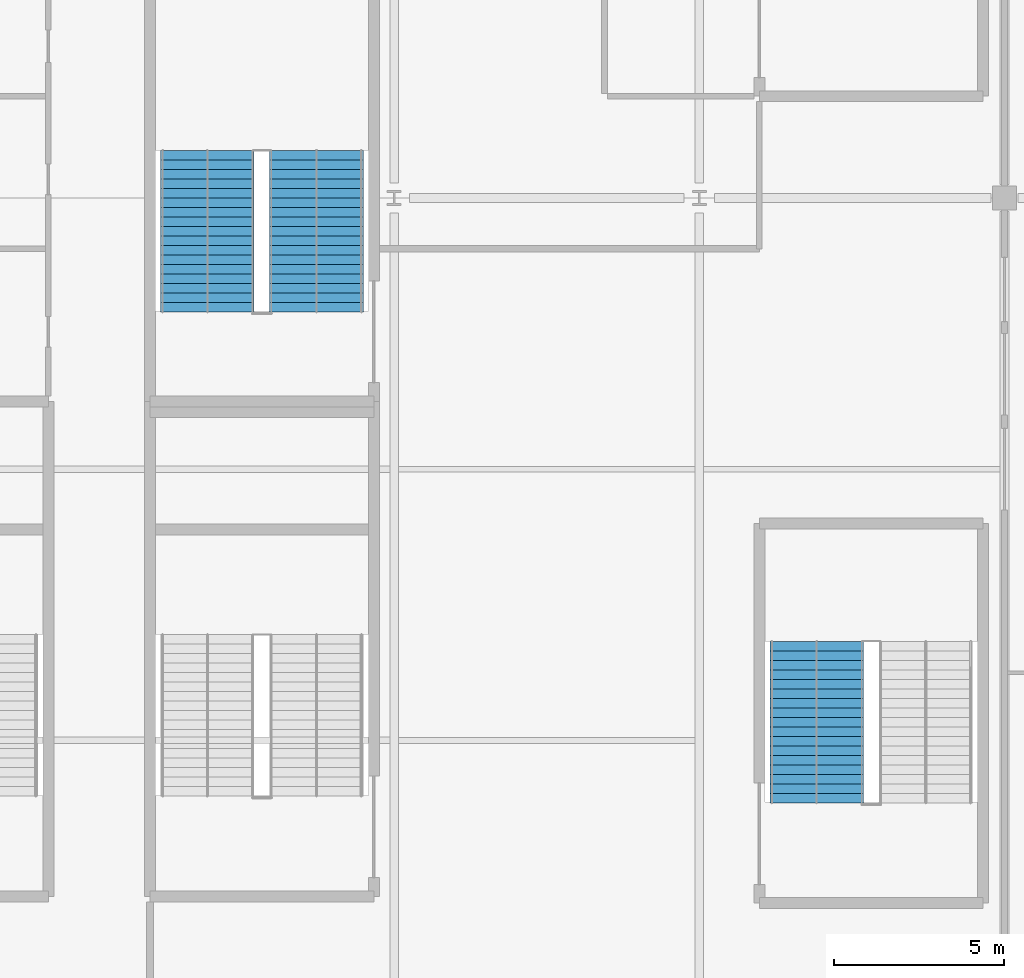
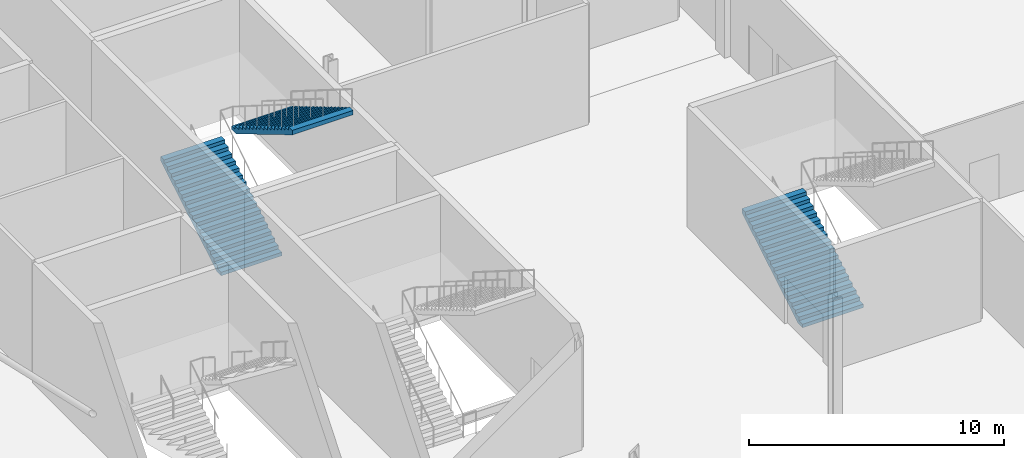
# One storey, part 55 of 84: 3 stair flights, 2 elements without a shape of their own.
"""IFC4 building model written with IfcOpenShell, lengths in metres."""

from ifc_helpers import new_model, si_unit, direction, frame, origin, place, context, subcontext, project, spatial, polygons, material, type_object, element, aggregate, save


model = new_model("IFC4")

# Units and contexts
model_context = context("Model", 3, precision=1e-05, world=origin(), true_north=direction((0.0, 1.0)))
body_context = subcontext(model_context, "Body", "Model", "MODEL_VIEW")
ifc_project = project(units=[si_unit("LENGTHUNIT", "METRE"), si_unit("AREAUNIT", "SQUARE_METRE"), si_unit("VOLUMEUNIT", "CUBIC_METRE"), si_unit("PLANEANGLEUNIT", "RADIAN"), si_unit("MASSUNIT", "GRAM", prefix="KILO")], contexts=[model_context])

# Site, building, storey
site_placement = place(None, origin())
site = spatial("IfcSite", under=ifc_project, at=site_placement, CompositionType="ELEMENT")
building_placement = place(site_placement, origin())
building = spatial("IfcBuilding", under=site, at=building_placement, Name="Kisiwana Market Hall", CompositionType="ELEMENT")
storey_placement = place(building_placement, origin())
storey = spatial("IfcBuildingStorey", under=building, at=storey_placement, Name="L00", CompositionType="ELEMENT", Elevation=0.0)

# Stair, stair flight
ifc_material_1 = material(Name="Concrete C32/40", Category="concrete")
stair_type = type_object("IfcStairType", Name="ST-ESC-6000", PredefinedType="TWO_STRAIGHT_RUN_STAIR", material=ifc_material_1)
stair_1_placement = place(storey_placement, origin())
stair_1 = element("IfcStair", 1, at=stair_1_placement, inside=storey, type_object=stair_type, Name="Escape stair ST-W9-L00", PredefinedType="TWO_STRAIGHT_RUN_STAIR")
ifc_material_2 = material(Name="Concrete C32/40", Category="concrete")
stair_flight_type = type_object("IfcStairFlightType", Name="SF-ESC-6000", PredefinedType="STRAIGHT", material=ifc_material_2)
stair_flight_1_placement = place(storey_placement, frame((39.4599609375, 42.159912109375, 0.0), z_axis=(0.0, 0.0, 1.0), x_axis=(0.0, 1.0, 0.0)))
stair_flight_1 = element("IfcStairFlight", 2, at=stair_flight_1_placement, type_object=stair_flight_type, Name="ST-W9-L00 flight 1", NumberOfRisers=18, NumberOfTreads=17, PredefinedType="STRAIGHT", RiserHeight=0.166667, TreadLength=0.28, context=body_context, shape_type="Tessellation", body=[
    polygons([(0.0, -1.380127, 0.0), (0.0, -0.690125, 0.0), (0.0, -0.000122, 0.0), (0.0, 0.68988, 0.0), (0.0, 1.379883, 0.0), (0.0, -1.380127, 0.166748), (0.0, -0.690125, 0.166748), (0.0, -0.000122, 0.166748), (0.0, 0.68988, 0.166748), (0.0, 1.379883, 0.166748), (0.280029, -1.380127, 0.166748), (0.280029, -0.690125, 0.166748), (0.280029, -0.000122, 0.166748), (0.280029, 0.68988, 0.166748), (0.280029, 1.379883, 0.166748), (0.280029, -1.380127, 0.333252), (0.280029, -0.690125, 0.333252), (0.280029, -0.000122, 0.333252), (0.280029, 0.68988, 0.333252), (0.280029, 1.379883, 0.333252), (0.560059, -1.380127, 0.333252), (0.560059, -0.690125, 0.333252), (0.560059, -0.000122, 0.333252), (0.560059, 0.68988, 0.333252), (0.560059, 1.379883, 0.333252), (0.560059, -1.380127, 0.5), (0.560059, -0.690125, 0.5), (0.560059, -0.000122, 0.5), (0.560059, 0.68988, 0.5), (0.560059, 1.379883, 0.5), (0.840088, -1.380127, 0.5), (0.840088, -0.690125, 0.5), (0.840088, -0.000122, 0.5), (0.840088, 0.68988, 0.5), (0.840088, 1.379883, 0.5), (0.840088, -1.380127, 0.666748), (0.840088, -0.690125, 0.666748), (0.840088, -0.000122, 0.666748), (0.840088, 0.68988, 0.666748), (0.840088, 1.379883, 0.666748), (1.120117, -1.380127, 0.666748), (1.120117, -0.690125, 0.666748), (1.120117, -0.000122, 0.666748), (1.120117, 0.68988, 0.666748), (1.120117, 1.379883, 0.666748), (1.120117, -1.380127, 0.833252), (1.120117, -0.690125, 0.833252), (1.120117, -0.000122, 0.833252), (1.120117, 0.68988, 0.833252), (1.120117, 1.379883, 0.833252), (1.399902, -1.380127, 0.833252), (1.399902, -0.690125, 0.833252), (1.399902, -0.000122, 0.833252), (1.399902, 0.68988, 0.833252), (1.399902, 1.379883, 0.833252), (1.399902, -1.380127, 1.0), (1.399902, -0.690125, 1.0), (1.399902, -0.000122, 1.0), (1.399902, 0.68988, 1.0), (1.399902, 1.379883, 1.0), (1.679932, -1.380127, 1.0), (1.679932, -0.690125, 1.0), (1.679932, -0.000122, 1.0), (1.679932, 0.68988, 1.0), (1.679932, 1.379883, 1.0), (1.679932, -1.380127, 1.166748), (1.679932, -0.690125, 1.166748), (1.679932, -0.000122, 1.166748), (1.679932, 0.68988, 1.166748), (1.679932, 1.379883, 1.166748), (1.959961, -1.380127, 1.166748), (1.959961, -0.690125, 1.166748), (1.959961, -0.000122, 1.166748), (1.959961, 0.68988, 1.166748), (1.959961, 1.379883, 1.166748), (1.959961, -1.380127, 1.333252), (1.959961, -0.690125, 1.333252), (1.959961, -0.000122, 1.333252), (1.959961, 0.68988, 1.333252), (1.959961, 1.379883, 1.333252), (2.23999, -1.380127, 1.333252), (2.23999, -0.690125, 1.333252), (2.23999, -0.000122, 1.333252), (2.23999, 0.68988, 1.333252), (2.23999, 1.379883, 1.333252), (2.23999, -1.380127, 1.5), (2.23999, -0.690125, 1.5), (2.23999, -0.000122, 1.5), (2.23999, 0.68988, 1.5), (2.23999, 1.379883, 1.5), (2.52002, -1.380127, 1.5), (2.52002, -0.690125, 1.5), (2.52002, -0.000122, 1.5), (2.52002, 0.68988, 1.5), (2.52002, 1.379883, 1.5), (2.52002, -1.380127, 1.666748), (2.52002, -0.690125, 1.666748), (2.52002, -0.000122, 1.666748), (2.52002, 0.68988, 1.666748), (2.52002, 1.379883, 1.666748), (2.800049, -1.380127, 1.666748), (2.800049, -0.690125, 1.666748), (2.800049, -0.000122, 1.666748), (2.800049, 0.68988, 1.666748), (2.800049, 1.379883, 1.666748), (2.800049, -1.380127, 1.833252), (2.800049, -0.690125, 1.833252), (2.800049, -0.000122, 1.833252), (2.800049, 0.68988, 1.833252), (2.800049, 1.379883, 1.833252), (3.080078, -1.380127, 1.833252), (3.080078, -0.690125, 1.833252), (3.080078, -0.000122, 1.833252), (3.080078, 0.68988, 1.833252), (3.080078, 1.379883, 1.833252), (3.080078, -1.380127, 2.0), (3.080078, -0.690125, 2.0), (3.080078, -0.000122, 2.0), (3.080078, 0.68988, 2.0), (3.080078, 1.379883, 2.0), (3.360107, -1.380127, 2.0), (3.360107, -0.690125, 2.0), (3.360107, -0.000122, 2.0), (3.360107, 0.68988, 2.0), (3.360107, 1.379883, 2.0), (3.360107, -1.380127, 2.166748), (3.360107, -0.690125, 2.166748), (3.360107, -0.000122, 2.166748), (3.360107, 0.68988, 2.166748), (3.360107, 1.379883, 2.166748), (3.639893, -1.380127, 2.166748), (3.639893, -0.690125, 2.166748), (3.639893, -0.000122, 2.166748), (3.639893, 0.68988, 2.166748), (3.639893, 1.379883, 2.166748), (3.639893, -1.380127, 2.333252), (3.639893, -0.690125, 2.333252), (3.639893, -0.000122, 2.333252), (3.639893, 0.68988, 2.333252), (3.639893, 1.379883, 2.333252), (3.919922, -1.380127, 2.333252), (3.919922, -0.690125, 2.333252), (3.919922, -0.000122, 2.333252), (3.919922, 0.68988, 2.333252), (3.919922, 1.379883, 2.333252), (3.919922, -1.380127, 2.5), (3.919922, -0.690125, 2.5), (3.919922, -0.000122, 2.5), (3.919922, 0.68988, 2.5), (3.919922, 1.379883, 2.5), (4.199951, -1.380127, 2.5), (4.199951, -0.690125, 2.5), (4.199951, -0.000122, 2.5), (4.199951, 0.68988, 2.5), (4.199951, 1.379883, 2.5), (4.199951, -1.380127, 2.666748), (4.199951, -0.690125, 2.666748), (4.199951, -0.000122, 2.666748), (4.199951, 0.68988, 2.666748), (4.199951, 1.379883, 2.666748), (4.47998, -1.380127, 2.666748), (4.47998, -0.690125, 2.666748), (4.47998, -0.000122, 2.666748), (4.47998, 0.68988, 2.666748), (4.47998, 1.379883, 2.666748), (4.47998, -1.380127, 2.833252), (4.47998, -0.690125, 2.833252), (4.47998, -0.000122, 2.833252), (4.47998, 0.68988, 2.833252), (4.47998, 1.379883, 2.833252), (4.76001, -1.380127, 2.833252), (4.76001, -0.690125, 2.833252), (4.76001, -0.000122, 2.833252), (4.76001, 0.68988, 2.833252), (4.76001, 1.379883, 2.833252), (4.76001, -1.380127, 2.624023), (4.76001, -0.690125, 2.624023), (4.76001, -0.000122, 2.624023), (4.76001, 0.68988, 2.624023), (4.76001, 1.379883, 2.624023), (0.351807, -1.380127, 0.0), (0.351807, -0.690125, 0.0), (0.351807, -0.000122, 0.0), (0.351807, 0.68988, 0.0), (0.351807, 1.379883, 0.0)], [[[1, 6, 7, 2]], [[2, 7, 8, 3]], [[3, 8, 9, 4]], [[4, 9, 10, 5]], [[6, 11, 12, 7]], [[7, 12, 13, 8]], [[8, 13, 14, 9]], [[9, 14, 15, 10]], [[11, 16, 17, 12]], [[12, 17, 18, 13]], [[13, 18, 19, 14]], [[14, 19, 20, 15]], [[16, 21, 22, 17]], [[17, 22, 23, 18]], [[18, 23, 24, 19]], [[19, 24, 25, 20]], [[21, 26, 27, 22]], [[22, 27, 28, 23]], [[23, 28, 29, 24]], [[24, 29, 30, 25]], [[26, 31, 32, 27]], [[27, 32, 33, 28]], [[28, 33, 34, 29]], [[29, 34, 35, 30]], [[31, 36, 37, 32]], [[32, 37, 38, 33]], [[33, 38, 39, 34]], [[34, 39, 40, 35]], [[36, 41, 42, 37]], [[37, 42, 43, 38]], [[38, 43, 44, 39]], [[39, 44, 45, 40]], [[41, 46, 47, 42]], [[42, 47, 48, 43]], [[43, 48, 49, 44]], [[44, 49, 50, 45]], [[46, 51, 52, 47]], [[47, 52, 53, 48]], [[48, 53, 54, 49]], [[49, 54, 55, 50]], [[51, 56, 57, 52]], [[52, 57, 58, 53]], [[53, 58, 59, 54]], [[54, 59, 60, 55]], [[56, 61, 62, 57]], [[57, 62, 63, 58]], [[58, 63, 64, 59]], [[59, 64, 65, 60]], [[61, 66, 67, 62]], [[62, 67, 68, 63]], [[63, 68, 69, 64]], [[64, 69, 70, 65]], [[66, 71, 72, 67]], [[67, 72, 73, 68]], [[68, 73, 74, 69]], [[69, 74, 75, 70]], [[71, 76, 77, 72]], [[72, 77, 78, 73]], [[73, 78, 79, 74]], [[74, 79, 80, 75]], [[76, 81, 82, 77]], [[77, 82, 83, 78]], [[78, 83, 84, 79]], [[79, 84, 85, 80]], [[81, 86, 87, 82]], [[82, 87, 88, 83]], [[83, 88, 89, 84]], [[84, 89, 90, 85]], [[86, 91, 92, 87]], [[87, 92, 93, 88]], [[88, 93, 94, 89]], [[89, 94, 95, 90]], [[91, 96, 97, 92]], [[92, 97, 98, 93]], [[93, 98, 99, 94]], [[94, 99, 100, 95]], [[96, 101, 102, 97]], [[97, 102, 103, 98]], [[98, 103, 104, 99]], [[99, 104, 105, 100]], [[101, 106, 107, 102]], [[102, 107, 108, 103]], [[103, 108, 109, 104]], [[104, 109, 110, 105]], [[106, 111, 112, 107]], [[107, 112, 113, 108]], [[108, 113, 114, 109]], [[109, 114, 115, 110]], [[111, 116, 117, 112]], [[112, 117, 118, 113]], [[113, 118, 119, 114]], [[114, 119, 120, 115]], [[116, 121, 122, 117]], [[117, 122, 123, 118]], [[118, 123, 124, 119]], [[119, 124, 125, 120]], [[121, 126, 127, 122]], [[122, 127, 128, 123]], [[123, 128, 129, 124]], [[124, 129, 130, 125]], [[126, 131, 132, 127]], [[127, 132, 133, 128]], [[128, 133, 134, 129]], [[129, 134, 135, 130]], [[131, 136, 137, 132]], [[132, 137, 138, 133]], [[133, 138, 139, 134]], [[134, 139, 140, 135]], [[136, 141, 142, 137]], [[137, 142, 143, 138]], [[138, 143, 144, 139]], [[139, 144, 145, 140]], [[141, 146, 147, 142]], [[142, 147, 148, 143]], [[143, 148, 149, 144]], [[144, 149, 150, 145]], [[146, 151, 152, 147]], [[147, 152, 153, 148]], [[148, 153, 154, 149]], [[149, 154, 155, 150]], [[151, 156, 157, 152]], [[152, 157, 158, 153]], [[153, 158, 159, 154]], [[154, 159, 160, 155]], [[156, 161, 162, 157]], [[157, 162, 163, 158]], [[158, 163, 164, 159]], [[159, 164, 165, 160]], [[161, 166, 167, 162]], [[162, 167, 168, 163]], [[163, 168, 169, 164]], [[164, 169, 170, 165]], [[166, 171, 172, 167]], [[167, 172, 173, 168]], [[168, 173, 174, 169]], [[169, 174, 175, 170]], [[171, 176, 177, 172]], [[172, 177, 178, 173]], [[173, 178, 179, 174]], [[174, 179, 180, 175]], [[176, 181, 182, 177]], [[177, 182, 183, 178]], [[178, 183, 184, 179]], [[179, 184, 185, 180]], [[181, 1, 2, 182]], [[182, 2, 3, 183]], [[183, 3, 4, 184]], [[184, 4, 5, 185]], [[181, 176, 171, 166, 161, 156, 151, 146, 141, 136, 131, 126, 121, 116, 111, 106, 101, 96, 91, 86, 81, 76, 71, 66, 61, 56, 51, 46, 41, 36, 31, 26, 21, 16, 11, 6, 1]], [[5, 10, 15, 20, 25, 30, 35, 40, 45, 50, 55, 60, 65, 70, 75, 80, 85, 90, 95, 100, 105, 110, 115, 120, 125, 130, 135, 140, 145, 150, 155, 160, 165, 170, 175, 180, 185]]], closed=True),
])
aggregate(stair_1, [stair_flight_1])

# Stair, stair flights
stair_2_placement = place(storey_placement, origin())
stair_2 = element("IfcStair", 3, at=stair_2_placement, inside=storey, type_object=stair_type, Name="Escape stair ST-W5-L00", PredefinedType="TWO_STRAIGHT_RUN_STAIR")
stair_flight_2_placement = place(storey_placement, frame((21.489990234375, 56.639892578125, 0.0), z_axis=(0.0, 0.0, 1.0), x_axis=(0.0, 1.0, 0.0)))
stair_flight_2 = element("IfcStairFlight", 4, at=stair_flight_2_placement, type_object=stair_flight_type, Name="ST-W5-L00 flight 1", NumberOfRisers=18, NumberOfTreads=17, PredefinedType="STRAIGHT", RiserHeight=0.166667, TreadLength=0.28, context=body_context, shape_type="Tessellation", body=[
    polygons([(0.0, -1.380127, 0.0), (0.0, -0.690125, 0.0), (0.0, -0.000122, 0.0), (0.0, 0.68988, 0.0), (0.0, 1.379883, 0.0), (0.0, -1.380127, 0.166748), (0.0, -0.690125, 0.166748), (0.0, -0.000122, 0.166748), (0.0, 0.68988, 0.166748), (0.0, 1.379883, 0.166748), (0.280029, -1.380127, 0.166748), (0.280029, -0.690125, 0.166748), (0.280029, -0.000122, 0.166748), (0.280029, 0.68988, 0.166748), (0.280029, 1.379883, 0.166748), (0.280029, -1.380127, 0.333252), (0.280029, -0.690125, 0.333252), (0.280029, -0.000122, 0.333252), (0.280029, 0.68988, 0.333252), (0.280029, 1.379883, 0.333252), (0.560059, -1.380127, 0.333252), (0.560059, -0.690125, 0.333252), (0.560059, -0.000122, 0.333252), (0.560059, 0.68988, 0.333252), (0.560059, 1.379883, 0.333252), (0.560059, -1.380127, 0.5), (0.560059, -0.690125, 0.5), (0.560059, -0.000122, 0.5), (0.560059, 0.68988, 0.5), (0.560059, 1.379883, 0.5), (0.840088, -1.380127, 0.5), (0.840088, -0.690125, 0.5), (0.840088, -0.000122, 0.5), (0.840088, 0.68988, 0.5), (0.840088, 1.379883, 0.5), (0.840088, -1.380127, 0.666748), (0.840088, -0.690125, 0.666748), (0.840088, -0.000122, 0.666748), (0.840088, 0.68988, 0.666748), (0.840088, 1.379883, 0.666748), (1.120117, -1.380127, 0.666748), (1.120117, -0.690125, 0.666748), (1.120117, -0.000122, 0.666748), (1.120117, 0.68988, 0.666748), (1.120117, 1.379883, 0.666748), (1.120117, -1.380127, 0.833252), (1.120117, -0.690125, 0.833252), (1.120117, -0.000122, 0.833252), (1.120117, 0.68988, 0.833252), (1.120117, 1.379883, 0.833252), (1.399902, -1.380127, 0.833252), (1.399902, -0.690125, 0.833252), (1.399902, -0.000122, 0.833252), (1.399902, 0.68988, 0.833252), (1.399902, 1.379883, 0.833252), (1.399902, -1.380127, 1.0), (1.399902, -0.690125, 1.0), (1.399902, -0.000122, 1.0), (1.399902, 0.68988, 1.0), (1.399902, 1.379883, 1.0), (1.679932, -1.380127, 1.0), (1.679932, -0.690125, 1.0), (1.679932, -0.000122, 1.0), (1.679932, 0.68988, 1.0), (1.679932, 1.379883, 1.0), (1.679932, -1.380127, 1.166748), (1.679932, -0.690125, 1.166748), (1.679932, -0.000122, 1.166748), (1.679932, 0.68988, 1.166748), (1.679932, 1.379883, 1.166748), (1.959961, -1.380127, 1.166748), (1.959961, -0.690125, 1.166748), (1.959961, -0.000122, 1.166748), (1.959961, 0.68988, 1.166748), (1.959961, 1.379883, 1.166748), (1.959961, -1.380127, 1.333252), (1.959961, -0.690125, 1.333252), (1.959961, -0.000122, 1.333252), (1.959961, 0.68988, 1.333252), (1.959961, 1.379883, 1.333252), (2.23999, -1.380127, 1.333252), (2.23999, -0.690125, 1.333252), (2.23999, -0.000122, 1.333252), (2.23999, 0.68988, 1.333252), (2.23999, 1.379883, 1.333252), (2.23999, -1.380127, 1.5), (2.23999, -0.690125, 1.5), (2.23999, -0.000122, 1.5), (2.23999, 0.68988, 1.5), (2.23999, 1.379883, 1.5), (2.52002, -1.380127, 1.5), (2.52002, -0.690125, 1.5), (2.52002, -0.000122, 1.5), (2.52002, 0.68988, 1.5), (2.52002, 1.379883, 1.5), (2.52002, -1.380127, 1.666748), (2.52002, -0.690125, 1.666748), (2.52002, -0.000122, 1.666748), (2.52002, 0.68988, 1.666748), (2.52002, 1.379883, 1.666748), (2.800049, -1.380127, 1.666748), (2.800049, -0.690125, 1.666748), (2.800049, -0.000122, 1.666748), (2.800049, 0.68988, 1.666748), (2.800049, 1.379883, 1.666748), (2.800049, -1.380127, 1.833252), (2.800049, -0.690125, 1.833252), (2.800049, -0.000122, 1.833252), (2.800049, 0.68988, 1.833252), (2.800049, 1.379883, 1.833252), (3.080078, -1.380127, 1.833252), (3.080078, -0.690125, 1.833252), (3.080078, -0.000122, 1.833252), (3.080078, 0.68988, 1.833252), (3.080078, 1.379883, 1.833252), (3.080078, -1.380127, 2.0), (3.080078, -0.690125, 2.0), (3.080078, -0.000122, 2.0), (3.080078, 0.68988, 2.0), (3.080078, 1.379883, 2.0), (3.360107, -1.380127, 2.0), (3.360107, -0.690125, 2.0), (3.360107, -0.000122, 2.0), (3.360107, 0.68988, 2.0), (3.360107, 1.379883, 2.0), (3.360107, -1.380127, 2.166748), (3.360107, -0.690125, 2.166748), (3.360107, -0.000122, 2.166748), (3.360107, 0.68988, 2.166748), (3.360107, 1.379883, 2.166748), (3.639893, -1.380127, 2.166748), (3.639893, -0.690125, 2.166748), (3.639893, -0.000122, 2.166748), (3.639893, 0.68988, 2.166748), (3.639893, 1.379883, 2.166748), (3.639893, -1.380127, 2.333252), (3.639893, -0.690125, 2.333252), (3.639893, -0.000122, 2.333252), (3.639893, 0.68988, 2.333252), (3.639893, 1.379883, 2.333252), (3.919922, -1.380127, 2.333252), (3.919922, -0.690125, 2.333252), (3.919922, -0.000122, 2.333252), (3.919922, 0.68988, 2.333252), (3.919922, 1.379883, 2.333252), (3.919922, -1.380127, 2.5), (3.919922, -0.690125, 2.5), (3.919922, -0.000122, 2.5), (3.919922, 0.68988, 2.5), (3.919922, 1.379883, 2.5), (4.199951, -1.380127, 2.5), (4.199951, -0.690125, 2.5), (4.199951, -0.000122, 2.5), (4.199951, 0.68988, 2.5), (4.199951, 1.379883, 2.5), (4.199951, -1.380127, 2.666748), (4.199951, -0.690125, 2.666748), (4.199951, -0.000122, 2.666748), (4.199951, 0.68988, 2.666748), (4.199951, 1.379883, 2.666748), (4.47998, -1.380127, 2.666748), (4.47998, -0.690125, 2.666748), (4.47998, -0.000122, 2.666748), (4.47998, 0.68988, 2.666748), (4.47998, 1.379883, 2.666748), (4.47998, -1.380127, 2.833252), (4.47998, -0.690125, 2.833252), (4.47998, -0.000122, 2.833252), (4.47998, 0.68988, 2.833252), (4.47998, 1.379883, 2.833252), (4.76001, -1.380127, 2.833252), (4.76001, -0.690125, 2.833252), (4.76001, -0.000122, 2.833252), (4.76001, 0.68988, 2.833252), (4.76001, 1.379883, 2.833252), (4.76001, -1.380127, 2.624023), (4.76001, -0.690125, 2.624023), (4.76001, -0.000122, 2.624023), (4.76001, 0.68988, 2.624023), (4.76001, 1.379883, 2.624023), (0.351807, -1.380127, 0.0), (0.351807, -0.690125, 0.0), (0.351807, -0.000122, 0.0), (0.351807, 0.68988, 0.0), (0.351807, 1.379883, 0.0)], [[[1, 6, 7, 2]], [[2, 7, 8, 3]], [[3, 8, 9, 4]], [[4, 9, 10, 5]], [[6, 11, 12, 7]], [[7, 12, 13, 8]], [[8, 13, 14, 9]], [[9, 14, 15, 10]], [[11, 16, 17, 12]], [[12, 17, 18, 13]], [[13, 18, 19, 14]], [[14, 19, 20, 15]], [[16, 21, 22, 17]], [[17, 22, 23, 18]], [[18, 23, 24, 19]], [[19, 24, 25, 20]], [[21, 26, 27, 22]], [[22, 27, 28, 23]], [[23, 28, 29, 24]], [[24, 29, 30, 25]], [[26, 31, 32, 27]], [[27, 32, 33, 28]], [[28, 33, 34, 29]], [[29, 34, 35, 30]], [[31, 36, 37, 32]], [[32, 37, 38, 33]], [[33, 38, 39, 34]], [[34, 39, 40, 35]], [[36, 41, 42, 37]], [[37, 42, 43, 38]], [[38, 43, 44, 39]], [[39, 44, 45, 40]], [[41, 46, 47, 42]], [[42, 47, 48, 43]], [[43, 48, 49, 44]], [[44, 49, 50, 45]], [[46, 51, 52, 47]], [[47, 52, 53, 48]], [[48, 53, 54, 49]], [[49, 54, 55, 50]], [[51, 56, 57, 52]], [[52, 57, 58, 53]], [[53, 58, 59, 54]], [[54, 59, 60, 55]], [[56, 61, 62, 57]], [[57, 62, 63, 58]], [[58, 63, 64, 59]], [[59, 64, 65, 60]], [[61, 66, 67, 62]], [[62, 67, 68, 63]], [[63, 68, 69, 64]], [[64, 69, 70, 65]], [[66, 71, 72, 67]], [[67, 72, 73, 68]], [[68, 73, 74, 69]], [[69, 74, 75, 70]], [[71, 76, 77, 72]], [[72, 77, 78, 73]], [[73, 78, 79, 74]], [[74, 79, 80, 75]], [[76, 81, 82, 77]], [[77, 82, 83, 78]], [[78, 83, 84, 79]], [[79, 84, 85, 80]], [[81, 86, 87, 82]], [[82, 87, 88, 83]], [[83, 88, 89, 84]], [[84, 89, 90, 85]], [[86, 91, 92, 87]], [[87, 92, 93, 88]], [[88, 93, 94, 89]], [[89, 94, 95, 90]], [[91, 96, 97, 92]], [[92, 97, 98, 93]], [[93, 98, 99, 94]], [[94, 99, 100, 95]], [[96, 101, 102, 97]], [[97, 102, 103, 98]], [[98, 103, 104, 99]], [[99, 104, 105, 100]], [[101, 106, 107, 102]], [[102, 107, 108, 103]], [[103, 108, 109, 104]], [[104, 109, 110, 105]], [[106, 111, 112, 107]], [[107, 112, 113, 108]], [[108, 113, 114, 109]], [[109, 114, 115, 110]], [[111, 116, 117, 112]], [[112, 117, 118, 113]], [[113, 118, 119, 114]], [[114, 119, 120, 115]], [[116, 121, 122, 117]], [[117, 122, 123, 118]], [[118, 123, 124, 119]], [[119, 124, 125, 120]], [[121, 126, 127, 122]], [[122, 127, 128, 123]], [[123, 128, 129, 124]], [[124, 129, 130, 125]], [[126, 131, 132, 127]], [[127, 132, 133, 128]], [[128, 133, 134, 129]], [[129, 134, 135, 130]], [[131, 136, 137, 132]], [[132, 137, 138, 133]], [[133, 138, 139, 134]], [[134, 139, 140, 135]], [[136, 141, 142, 137]], [[137, 142, 143, 138]], [[138, 143, 144, 139]], [[139, 144, 145, 140]], [[141, 146, 147, 142]], [[142, 147, 148, 143]], [[143, 148, 149, 144]], [[144, 149, 150, 145]], [[146, 151, 152, 147]], [[147, 152, 153, 148]], [[148, 153, 154, 149]], [[149, 154, 155, 150]], [[151, 156, 157, 152]], [[152, 157, 158, 153]], [[153, 158, 159, 154]], [[154, 159, 160, 155]], [[156, 161, 162, 157]], [[157, 162, 163, 158]], [[158, 163, 164, 159]], [[159, 164, 165, 160]], [[161, 166, 167, 162]], [[162, 167, 168, 163]], [[163, 168, 169, 164]], [[164, 169, 170, 165]], [[166, 171, 172, 167]], [[167, 172, 173, 168]], [[168, 173, 174, 169]], [[169, 174, 175, 170]], [[171, 176, 177, 172]], [[172, 177, 178, 173]], [[173, 178, 179, 174]], [[174, 179, 180, 175]], [[176, 181, 182, 177]], [[177, 182, 183, 178]], [[178, 183, 184, 179]], [[179, 184, 185, 180]], [[181, 1, 2, 182]], [[182, 2, 3, 183]], [[183, 3, 4, 184]], [[184, 4, 5, 185]], [[181, 176, 171, 166, 161, 156, 151, 146, 141, 136, 131, 126, 121, 116, 111, 106, 101, 96, 91, 86, 81, 76, 71, 66, 61, 56, 51, 46, 41, 36, 31, 26, 21, 16, 11, 6, 1]], [[5, 10, 15, 20, 25, 30, 35, 40, 45, 50, 55, 60, 65, 70, 75, 80, 85, 90, 95, 100, 105, 110, 115, 120, 125, 130, 135, 140, 145, 150, 155, 160, 165, 170, 175, 180, 185]]], closed=True),
])
stair_flight_3_placement = place(storey_placement, frame((24.7099609375, 61.39990234375, 3.0), z_axis=(0.0, 0.0, 1.0), x_axis=(0.0, -1.0, 0.0)))
stair_flight_3 = element("IfcStairFlight", 5, at=stair_flight_3_placement, type_object=stair_flight_type, Name="ST-W5-L00 flight 2", NumberOfRisers=18, NumberOfTreads=17, PredefinedType="STRAIGHT", RiserHeight=0.166667, TreadLength=0.28, context=body_context, shape_type="Tessellation", body=[
    polygons([(0.0, -1.380127, 0.0), (0.0, -0.690125, 0.0), (0.0, -0.000122, 0.0), (0.0, 0.68988, 0.0), (0.0, 1.379883, 0.0), (0.0, -1.380127, 0.166748), (0.0, -0.690125, 0.166748), (0.0, -0.000122, 0.166748), (0.0, 0.68988, 0.166748), (0.0, 1.379883, 0.166748), (0.280029, -1.380127, 0.166748), (0.280029, -0.690125, 0.166748), (0.280029, -0.000122, 0.166748), (0.280029, 0.68988, 0.166748), (0.280029, 1.379883, 0.166748), (0.280029, -1.380127, 0.333252), (0.280029, -0.690125, 0.333252), (0.280029, -0.000122, 0.333252), (0.280029, 0.68988, 0.333252), (0.280029, 1.379883, 0.333252), (0.560059, -1.380127, 0.333252), (0.560059, -0.690125, 0.333252), (0.560059, -0.000122, 0.333252), (0.560059, 0.68988, 0.333252), (0.560059, 1.379883, 0.333252), (0.560059, -1.380127, 0.5), (0.560059, -0.690125, 0.5), (0.560059, -0.000122, 0.5), (0.560059, 0.68988, 0.5), (0.560059, 1.379883, 0.5), (0.840088, -1.380127, 0.5), (0.840088, -0.690125, 0.5), (0.840088, -0.000122, 0.5), (0.840088, 0.68988, 0.5), (0.840088, 1.379883, 0.5), (0.840088, -1.380127, 0.666748), (0.840088, -0.690125, 0.666748), (0.840088, -0.000122, 0.666748), (0.840088, 0.68988, 0.666748), (0.840088, 1.379883, 0.666748), (1.120117, -1.380127, 0.666748), (1.120117, -0.690125, 0.666748), (1.120117, -0.000122, 0.666748), (1.120117, 0.68988, 0.666748), (1.120117, 1.379883, 0.666748), (1.120117, -1.380127, 0.833252), (1.120117, -0.690125, 0.833252), (1.120117, -0.000122, 0.833252), (1.120117, 0.68988, 0.833252), (1.120117, 1.379883, 0.833252), (1.399902, -1.380127, 0.833252), (1.399902, -0.690125, 0.833252), (1.399902, -0.000122, 0.833252), (1.399902, 0.68988, 0.833252), (1.399902, 1.379883, 0.833252), (1.399902, -1.380127, 1.0), (1.399902, -0.690125, 1.0), (1.399902, -0.000122, 1.0), (1.399902, 0.68988, 1.0), (1.399902, 1.379883, 1.0), (1.679932, -1.380127, 1.0), (1.679932, -0.690125, 1.0), (1.679932, -0.000122, 1.0), (1.679932, 0.68988, 1.0), (1.679932, 1.379883, 1.0), (1.679932, -1.380127, 1.166748), (1.679932, -0.690125, 1.166748), (1.679932, -0.000122, 1.166748), (1.679932, 0.68988, 1.166748), (1.679932, 1.379883, 1.166748), (1.959961, -1.380127, 1.166748), (1.959961, -0.690125, 1.166748), (1.959961, -0.000122, 1.166748), (1.959961, 0.68988, 1.166748), (1.959961, 1.379883, 1.166748), (1.959961, -1.380127, 1.333252), (1.959961, -0.690125, 1.333252), (1.959961, -0.000122, 1.333252), (1.959961, 0.68988, 1.333252), (1.959961, 1.379883, 1.333252), (2.23999, -1.380127, 1.333252), (2.23999, -0.690125, 1.333252), (2.23999, -0.000122, 1.333252), (2.23999, 0.68988, 1.333252), (2.23999, 1.379883, 1.333252), (2.23999, -1.380127, 1.5), (2.23999, -0.690125, 1.5), (2.23999, -0.000122, 1.5), (2.23999, 0.68988, 1.5), (2.23999, 1.379883, 1.5), (2.52002, -1.380127, 1.5), (2.52002, -0.690125, 1.5), (2.52002, -0.000122, 1.5), (2.52002, 0.68988, 1.5), (2.52002, 1.379883, 1.5), (2.52002, -1.380127, 1.666748), (2.52002, -0.690125, 1.666748), (2.52002, -0.000122, 1.666748), (2.52002, 0.68988, 1.666748), (2.52002, 1.379883, 1.666748), (2.800049, -1.380127, 1.666748), (2.800049, -0.690125, 1.666748), (2.800049, -0.000122, 1.666748), (2.800049, 0.68988, 1.666748), (2.800049, 1.379883, 1.666748), (2.800049, -1.380127, 1.833252), (2.800049, -0.690125, 1.833252), (2.800049, -0.000122, 1.833252), (2.800049, 0.68988, 1.833252), (2.800049, 1.379883, 1.833252), (3.080078, -1.380127, 1.833252), (3.080078, -0.690125, 1.833252), (3.080078, -0.000122, 1.833252), (3.080078, 0.68988, 1.833252), (3.080078, 1.379883, 1.833252), (3.080078, -1.380127, 2.0), (3.080078, -0.690125, 2.0), (3.080078, -0.000122, 2.0), (3.080078, 0.68988, 2.0), (3.080078, 1.379883, 2.0), (3.360107, -1.380127, 2.0), (3.360107, -0.690125, 2.0), (3.360107, -0.000122, 2.0), (3.360107, 0.68988, 2.0), (3.360107, 1.379883, 2.0), (3.360107, -1.380127, 2.166748), (3.360107, -0.690125, 2.166748), (3.360107, -0.000122, 2.166748), (3.360107, 0.68988, 2.166748), (3.360107, 1.379883, 2.166748), (3.639893, -1.380127, 2.166748), (3.639893, -0.690125, 2.166748), (3.639893, -0.000122, 2.166748), (3.639893, 0.68988, 2.166748), (3.639893, 1.379883, 2.166748), (3.639893, -1.380127, 2.333252), (3.639893, -0.690125, 2.333252), (3.639893, -0.000122, 2.333252), (3.639893, 0.68988, 2.333252), (3.639893, 1.379883, 2.333252), (3.919922, -1.380127, 2.333252), (3.919922, -0.690125, 2.333252), (3.919922, -0.000122, 2.333252), (3.919922, 0.68988, 2.333252), (3.919922, 1.379883, 2.333252), (3.919922, -1.380127, 2.5), (3.919922, -0.690125, 2.5), (3.919922, -0.000122, 2.5), (3.919922, 0.68988, 2.5), (3.919922, 1.379883, 2.5), (4.199951, -1.380127, 2.5), (4.199951, -0.690125, 2.5), (4.199951, -0.000122, 2.5), (4.199951, 0.68988, 2.5), (4.199951, 1.379883, 2.5), (4.199951, -1.380127, 2.666748), (4.199951, -0.690125, 2.666748), (4.199951, -0.000122, 2.666748), (4.199951, 0.68988, 2.666748), (4.199951, 1.379883, 2.666748), (4.47998, -1.380127, 2.666748), (4.47998, -0.690125, 2.666748), (4.47998, -0.000122, 2.666748), (4.47998, 0.68988, 2.666748), (4.47998, 1.379883, 2.666748), (4.47998, -1.380127, 2.833252), (4.47998, -0.690125, 2.833252), (4.47998, -0.000122, 2.833252), (4.47998, 0.68988, 2.833252), (4.47998, 1.379883, 2.833252), (4.76001, -1.380127, 2.833252), (4.76001, -0.690125, 2.833252), (4.76001, -0.000122, 2.833252), (4.76001, 0.68988, 2.833252), (4.76001, 1.379883, 2.833252), (4.76001, -1.380127, 2.624023), (4.76001, -0.690125, 2.624023), (4.76001, -0.000122, 2.624023), (4.76001, 0.68988, 2.624023), (4.76001, 1.379883, 2.624023), (0.351807, -1.380127, 0.0), (0.351807, -0.690125, 0.0), (0.351807, -0.000122, 0.0), (0.351807, 0.68988, 0.0), (0.351807, 1.379883, 0.0)], [[[1, 6, 7, 2]], [[2, 7, 8, 3]], [[3, 8, 9, 4]], [[4, 9, 10, 5]], [[6, 11, 12, 7]], [[7, 12, 13, 8]], [[8, 13, 14, 9]], [[9, 14, 15, 10]], [[11, 16, 17, 12]], [[12, 17, 18, 13]], [[13, 18, 19, 14]], [[14, 19, 20, 15]], [[16, 21, 22, 17]], [[17, 22, 23, 18]], [[18, 23, 24, 19]], [[19, 24, 25, 20]], [[21, 26, 27, 22]], [[22, 27, 28, 23]], [[23, 28, 29, 24]], [[24, 29, 30, 25]], [[26, 31, 32, 27]], [[27, 32, 33, 28]], [[28, 33, 34, 29]], [[29, 34, 35, 30]], [[31, 36, 37, 32]], [[32, 37, 38, 33]], [[33, 38, 39, 34]], [[34, 39, 40, 35]], [[36, 41, 42, 37]], [[37, 42, 43, 38]], [[38, 43, 44, 39]], [[39, 44, 45, 40]], [[41, 46, 47, 42]], [[42, 47, 48, 43]], [[43, 48, 49, 44]], [[44, 49, 50, 45]], [[46, 51, 52, 47]], [[47, 52, 53, 48]], [[48, 53, 54, 49]], [[49, 54, 55, 50]], [[51, 56, 57, 52]], [[52, 57, 58, 53]], [[53, 58, 59, 54]], [[54, 59, 60, 55]], [[56, 61, 62, 57]], [[57, 62, 63, 58]], [[58, 63, 64, 59]], [[59, 64, 65, 60]], [[61, 66, 67, 62]], [[62, 67, 68, 63]], [[63, 68, 69, 64]], [[64, 69, 70, 65]], [[66, 71, 72, 67]], [[67, 72, 73, 68]], [[68, 73, 74, 69]], [[69, 74, 75, 70]], [[71, 76, 77, 72]], [[72, 77, 78, 73]], [[73, 78, 79, 74]], [[74, 79, 80, 75]], [[76, 81, 82, 77]], [[77, 82, 83, 78]], [[78, 83, 84, 79]], [[79, 84, 85, 80]], [[81, 86, 87, 82]], [[82, 87, 88, 83]], [[83, 88, 89, 84]], [[84, 89, 90, 85]], [[86, 91, 92, 87]], [[87, 92, 93, 88]], [[88, 93, 94, 89]], [[89, 94, 95, 90]], [[91, 96, 97, 92]], [[92, 97, 98, 93]], [[93, 98, 99, 94]], [[94, 99, 100, 95]], [[96, 101, 102, 97]], [[97, 102, 103, 98]], [[98, 103, 104, 99]], [[99, 104, 105, 100]], [[101, 106, 107, 102]], [[102, 107, 108, 103]], [[103, 108, 109, 104]], [[104, 109, 110, 105]], [[106, 111, 112, 107]], [[107, 112, 113, 108]], [[108, 113, 114, 109]], [[109, 114, 115, 110]], [[111, 116, 117, 112]], [[112, 117, 118, 113]], [[113, 118, 119, 114]], [[114, 119, 120, 115]], [[116, 121, 122, 117]], [[117, 122, 123, 118]], [[118, 123, 124, 119]], [[119, 124, 125, 120]], [[121, 126, 127, 122]], [[122, 127, 128, 123]], [[123, 128, 129, 124]], [[124, 129, 130, 125]], [[126, 131, 132, 127]], [[127, 132, 133, 128]], [[128, 133, 134, 129]], [[129, 134, 135, 130]], [[131, 136, 137, 132]], [[132, 137, 138, 133]], [[133, 138, 139, 134]], [[134, 139, 140, 135]], [[136, 141, 142, 137]], [[137, 142, 143, 138]], [[138, 143, 144, 139]], [[139, 144, 145, 140]], [[141, 146, 147, 142]], [[142, 147, 148, 143]], [[143, 148, 149, 144]], [[144, 149, 150, 145]], [[146, 151, 152, 147]], [[147, 152, 153, 148]], [[148, 153, 154, 149]], [[149, 154, 155, 150]], [[151, 156, 157, 152]], [[152, 157, 158, 153]], [[153, 158, 159, 154]], [[154, 159, 160, 155]], [[156, 161, 162, 157]], [[157, 162, 163, 158]], [[158, 163, 164, 159]], [[159, 164, 165, 160]], [[161, 166, 167, 162]], [[162, 167, 168, 163]], [[163, 168, 169, 164]], [[164, 169, 170, 165]], [[166, 171, 172, 167]], [[167, 172, 173, 168]], [[168, 173, 174, 169]], [[169, 174, 175, 170]], [[171, 176, 177, 172]], [[172, 177, 178, 173]], [[173, 178, 179, 174]], [[174, 179, 180, 175]], [[176, 181, 182, 177]], [[177, 182, 183, 178]], [[178, 183, 184, 179]], [[179, 184, 185, 180]], [[181, 1, 2, 182]], [[182, 2, 3, 183]], [[183, 3, 4, 184]], [[184, 4, 5, 185]], [[181, 176, 171, 166, 161, 156, 151, 146, 141, 136, 131, 126, 121, 116, 111, 106, 101, 96, 91, 86, 81, 76, 71, 66, 61, 56, 51, 46, 41, 36, 31, 26, 21, 16, 11, 6, 1]], [[5, 10, 15, 20, 25, 30, 35, 40, 45, 50, 55, 60, 65, 70, 75, 80, 85, 90, 95, 100, 105, 110, 115, 120, 125, 130, 135, 140, 145, 150, 155, 160, 165, 170, 175, 180, 185]]], closed=True),
])
aggregate(stair_2, [stair_flight_2, stair_flight_3])

save(model, "model.ifc")
